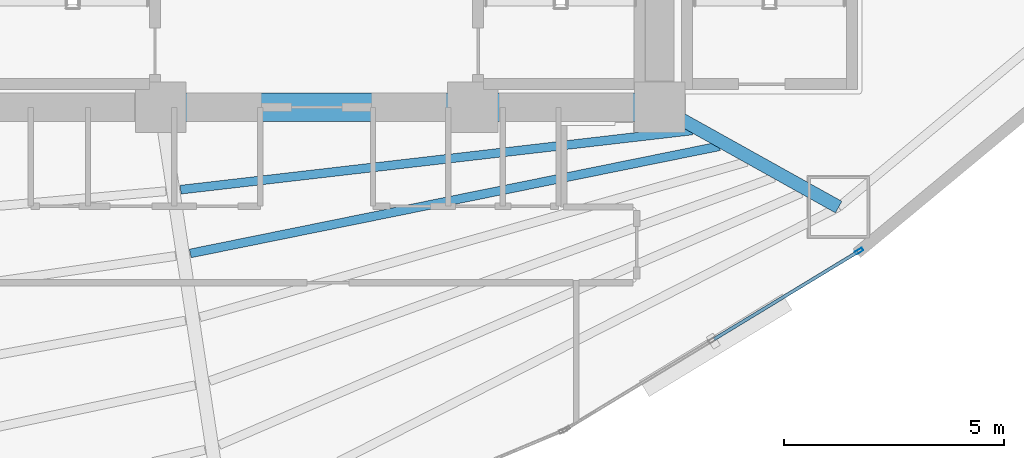
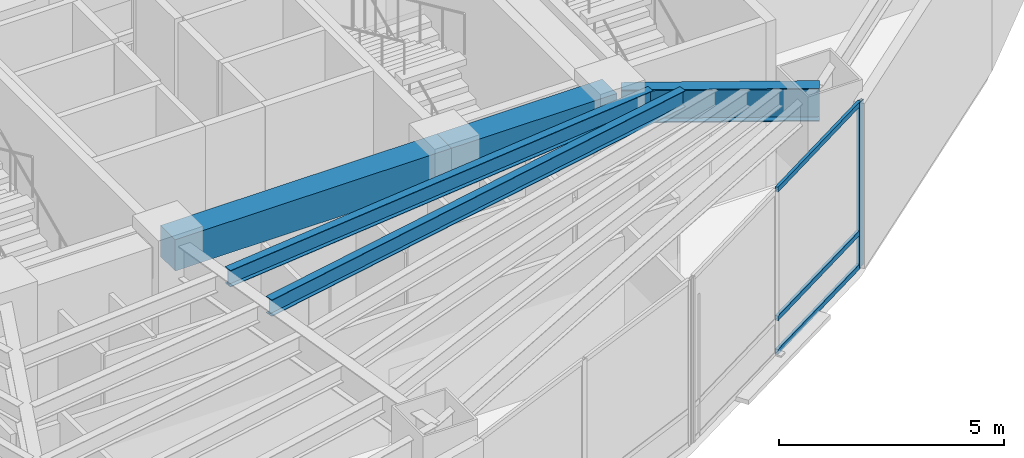
# One storey, part 6 of 18: 5 beams, 4 members, 1 element without a shape of its own.
"""IFC4 building model written with IfcOpenShell, lengths in metres."""

from ifc_helpers import new_model, si_unit, direction, frame, origin, origin_2d, place, context, subcontext, project, spatial, rectangle, hollow_rectangle, i_section, extrude, material, layer, layer_set, material_profile, profile_set, type_object, element, aggregate, save


model = new_model("IFC4")

# Units and contexts
model_context = context("Model", 3, precision=1e-05, world=origin(), true_north=direction((0.0, 1.0)))
body_context = subcontext(model_context, "Body", "Model", "MODEL_VIEW")
ifc_project = project(units=[si_unit("LENGTHUNIT", "METRE"), si_unit("AREAUNIT", "SQUARE_METRE"), si_unit("VOLUMEUNIT", "CUBIC_METRE"), si_unit("PLANEANGLEUNIT", "RADIAN"), si_unit("MASSUNIT", "GRAM", prefix="KILO")], contexts=[model_context])

# Site, building, storey
site_placement = place(None, origin())
site = spatial("IfcSite", under=ifc_project, at=site_placement, CompositionType="ELEMENT")
building_placement = place(site_placement, origin())
building = spatial("IfcBuilding", under=site, at=building_placement, Name="Menara Vayukalpa", CompositionType="ELEMENT")
storey_placement = place(building_placement, frame((0.0, 0.0, 7.199951171875)))
storey = spatial("IfcBuildingStorey", under=building, at=storey_placement, Name="L01", CompositionType="ELEMENT", Elevation=7.199951171875)

# Beams
ifc_material_1 = material(Name="Concrete C60/75", Category="concrete")
ifc_material_profile_1 = material_profile(ifc_material_1, rectangle(XDim=0.64990234375, YDim=0.85009765625, at=origin_2d()), Name="RC 650x850")
ifc_profile_set_1 = profile_set([ifc_material_profile_1], Name="Concrete C60/75")
beam_type_1 = type_object("IfcBeamType", Name="BM-CB1", PredefinedType="BEAM", material=ifc_profile_set_1)
beam_1_placement = place(storey_placement, frame((22.050048828125, 17.199951171875, 4.054931640625), z_axis=(1.0, 0.0, 0.0), x_axis=(0.0, 1.0, 0.0)))
element("IfcBeam", 1, at=beam_1_placement, inside=storey, type_object=beam_type_1, Name="L01 Core Tie Beam CBR2", PredefinedType="BEAM", context=body_context, shape_type="SweptSolid", body=[
    extrude(rectangle(XDim=0.64990234375, YDim=0.85009765625, at=origin_2d()), origin(), (0.0, 0.0, 1.0), 7.099853515625),
])
beam_2_placement = place(storey_placement, frame((29.14990234375, 17.199951171875, 4.054931640625), z_axis=(1.0, 0.0, 0.0), x_axis=(0.0, 1.0, 0.0)))
element("IfcBeam", 2, at=beam_2_placement, inside=storey, type_object=beam_type_1, Name="L01 Core Tie Beam CBR3", PredefinedType="BEAM", context=body_context, shape_type="SweptSolid", body=[
    extrude(rectangle(XDim=0.64990234375, YDim=0.85009765625, at=origin_2d()), origin(), (0.0, 0.0, 1.0), 4.25),
])
ifc_material_2 = material(Name="Steel S355", Category="steel")
ifc_material_profile_2 = material_profile(ifc_material_2, i_section(OverallWidth=0.300048828125, OverallDepth=0.89990234375, WebThickness=0.01611328125, FlangeThickness=0.028076171875, at=origin_2d()), Name="WF 900x300x16x28")
ifc_profile_set_2 = profile_set([ifc_material_profile_2], Name="Steel S355")
beam_type_2 = type_object("IfcBeamType", Name="BM-PG1", PredefinedType="BEAM", material=ifc_profile_set_2)
beam_3_placement = place(storey_placement, frame((33.618408203125, 17.078369140625, 4.030029296875), z_axis=(0.873472891879, -0.486872783335, 0.0), x_axis=(0.486872783335, 0.873472891879, 0.0)))
element("IfcBeam", 3, at=beam_3_placement, inside=storey, type_object=beam_type_2, Name="L01 Primary Radial Girder RG09", PredefinedType="BEAM", context=body_context, shape_type="SweptSolid", body=[
    extrude(i_section(OverallWidth=0.300048828125, OverallDepth=0.89990234375, WebThickness=0.01611328125, FlangeThickness=0.028076171875, at=origin_2d()), origin(), (0.0, 0.0, 1.0), 4.414306640625),
])
ifc_material_3 = material(Name="Steel S355", Category="steel")
ifc_material_profile_3 = material_profile(ifc_material_3, i_section(OverallWidth=0.199951171875, OverallDepth=0.449951171875, WebThickness=0.009033203125, FlangeThickness=0.013916015625, at=origin_2d()), Name="WF 450x200x9x14")
ifc_profile_set_3 = profile_set([ifc_material_profile_3], Name="Steel S355")
beam_type_3 = type_object("IfcBeamType", Name="BM-SJ1", PredefinedType="JOIST", material=ifc_profile_set_3)
beam_4_placement = place(storey_placement, frame((22.506103515625, 15.324951171875, 4.255126953125), z_axis=(0.993368624996, 0.114972931045, 0.0), x_axis=(-0.114972931045, 0.993368624996, 0.0)))
element("IfcBeam", 4, at=beam_4_placement, inside=storey, type_object=beam_type_3, Name="L01 Secondary Floor Joist SJ08-1", PredefinedType="JOIST", context=body_context, shape_type="SweptSolid", body=[
    extrude(i_section(OverallWidth=0.199951171875, OverallDepth=0.449951171875, WebThickness=0.009033203125, FlangeThickness=0.013916015625, at=origin_2d()), origin(), (0.0, 0.0, 1.0), 11.715087890625),
])
beam_5_placement = place(storey_placement, frame((22.72607421875, 13.874755859375, 4.255126953125), z_axis=(0.980082096832, 0.198592757847, 0.0), x_axis=(-0.198592757847, 0.980082096832, 0.0)))
element("IfcBeam", 5, at=beam_5_placement, inside=storey, type_object=beam_type_3, Name="L01 Secondary Floor Joist SJ08-2", PredefinedType="JOIST", context=body_context, shape_type="SweptSolid", body=[
    extrude(i_section(OverallWidth=0.199951171875, OverallDepth=0.449951171875, WebThickness=0.009033203125, FlangeThickness=0.013916015625, at=origin_2d()), origin(), (0.0, 0.0, 1.0), 12.28125),
])

# Curtain wall, members
ifc_material_4 = material(Name="Anodised Terracotta Aluminium Alloy 6063-T6", Category="masonry")
ifc_layer = layer(ifc_material_4, 0.179931640625)
ifc_layer_set = layer_set([ifc_layer], Name="Anodised Terracotta Aluminium Alloy 6063-T6")
curtain_wall_type = type_object("IfcCurtainWallType", Name="CW-CW1", PredefinedType="USERDEFINED", material=ifc_layer_set)
curtain_wall_placement = place(storey_placement, origin())
curtain_wall = element("IfcCurtainWall", 6, at=curtain_wall_placement, inside=storey, type_object=curtain_wall_type, Name="L01 Podium Unitised Ribbon Curtain Wall CW1 17", ObjectType="UNITISED", PredefinedType="USERDEFINED")
ifc_material_5 = material(Name="Anodised Terracotta Aluminium Alloy 6063-T6", Category="masonry")
ifc_material_profile_4 = material_profile(ifc_material_5, hollow_rectangle(XDim=0.074951171875, YDim=0.179931640625, WallThickness=0.00390625, at=origin_2d()), Name="ALU 75x180x4")
ifc_profile_set_4 = profile_set([ifc_material_profile_4], Name="Anodised Terracotta Aluminium Alloy 6063-T6")
member_type_1 = type_object("IfcMemberType", Name="CWM-CW1", PredefinedType="MULLION", material=ifc_profile_set_4)
member_1_placement = place(storey_placement, frame((37.941162109375, 13.929443359375, 0.0), z_axis=(0.0, 0.0, 1.0), x_axis=(-0.519179879231, 0.854664994604, 0.0)))
member_1 = element("IfcMember", 7, at=member_1_placement, type_object=member_type_1, Name="CW1 mullion 3", PredefinedType="MULLION", context=body_context, shape_type="SweptSolid", body=[
    extrude(hollow_rectangle(XDim=0.074951171875, YDim=0.179931640625, WallThickness=0.00390625, at=origin_2d()), origin(), (0.0, 0.0, 1.0), 4.47998046875),
])
ifc_material_6 = material(Name="Anodised Terracotta Aluminium Alloy 6063-T6", Category="masonry")
ifc_material_profile_5 = material_profile(ifc_material_6, hollow_rectangle(XDim=0.074951171875, YDim=0.135009765625, WallThickness=0.00390625, at=origin_2d()), Name="ALU 75x135x4")
ifc_profile_set_5 = profile_set([ifc_material_profile_5], Name="Anodised Terracotta Aluminium Alloy 6063-T6")
member_type_2 = type_object("IfcMemberType", Name="CWT-CW1", PredefinedType="USERDEFINED", material=ifc_profile_set_5)
member_2_placement = place(storey_placement, frame((34.639404296875, 11.923583984375, 0.03759765625), z_axis=(0.85465908819, 0.519189602144, 0.0), x_axis=(-0.519189602144, 0.85465908819, 0.0)))
member_2 = element("IfcMember", 8, at=member_2_placement, type_object=member_type_2, Name="CW1 transom 2.1", ObjectType="TRANSOM", PredefinedType="USERDEFINED", context=body_context, shape_type="SweptSolid", body=[
    extrude(hollow_rectangle(XDim=0.074951171875, YDim=0.135009765625, WallThickness=0.00390625, at=origin_2d()), origin(), (0.0, 0.0, 1.0), 3.825927734375),
])
member_3_placement = place(storey_placement, frame((34.639404296875, 11.923583984375, 0.949951171875), z_axis=(0.85465908819, 0.519189602144, 0.0), x_axis=(-0.519189602144, 0.85465908819, 0.0)))
member_3 = element("IfcMember", 9, at=member_3_placement, type_object=member_type_2, Name="CW1 transom 2.2", ObjectType="TRANSOM", PredefinedType="USERDEFINED", context=body_context, shape_type="SweptSolid", body=[
    extrude(hollow_rectangle(XDim=0.074951171875, YDim=0.135009765625, WallThickness=0.00390625, at=origin_2d()), origin(), (0.0, 0.0, 1.0), 3.825927734375),
])
member_4_placement = place(storey_placement, frame((34.639404296875, 11.923583984375, 4.442626953125), z_axis=(0.85465908819, 0.519189602144, 0.0), x_axis=(-0.519189602144, 0.85465908819, 0.0)))
member_4 = element("IfcMember", 10, at=member_4_placement, type_object=member_type_2, Name="CW1 transom 2.3", ObjectType="TRANSOM", PredefinedType="USERDEFINED", context=body_context, shape_type="SweptSolid", body=[
    extrude(hollow_rectangle(XDim=0.074951171875, YDim=0.135009765625, WallThickness=0.00390625, at=origin_2d()), origin(), (0.0, 0.0, 1.0), 3.825927734375),
])
aggregate(curtain_wall, [member_1, member_2, member_3, member_4])

save(model, "model.ifc")
